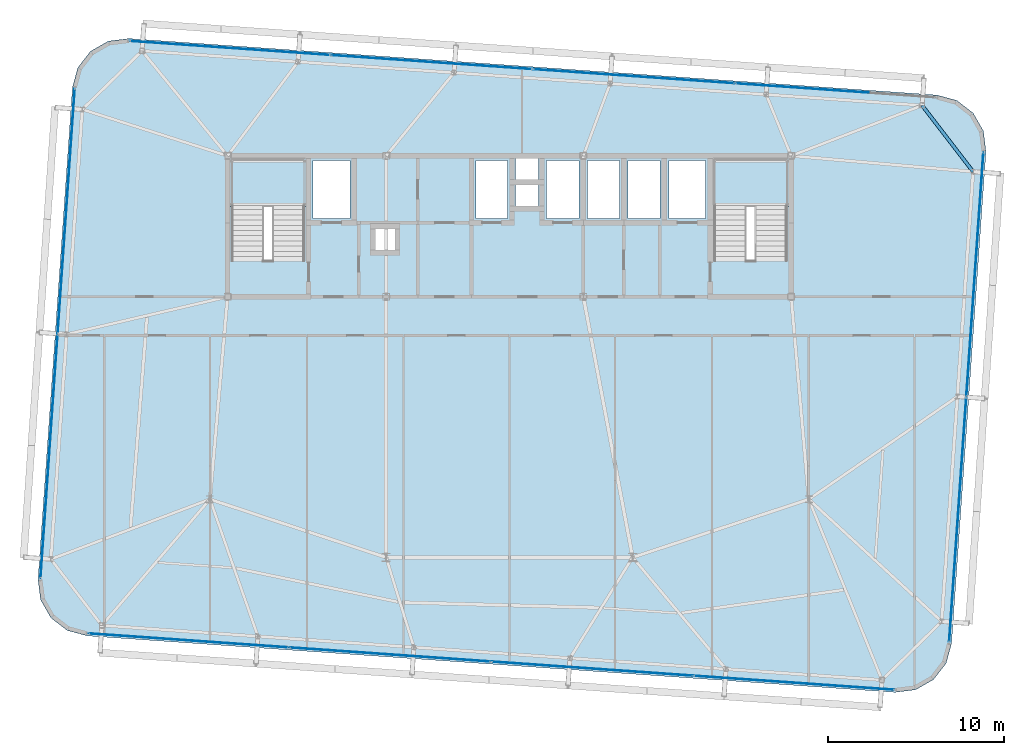
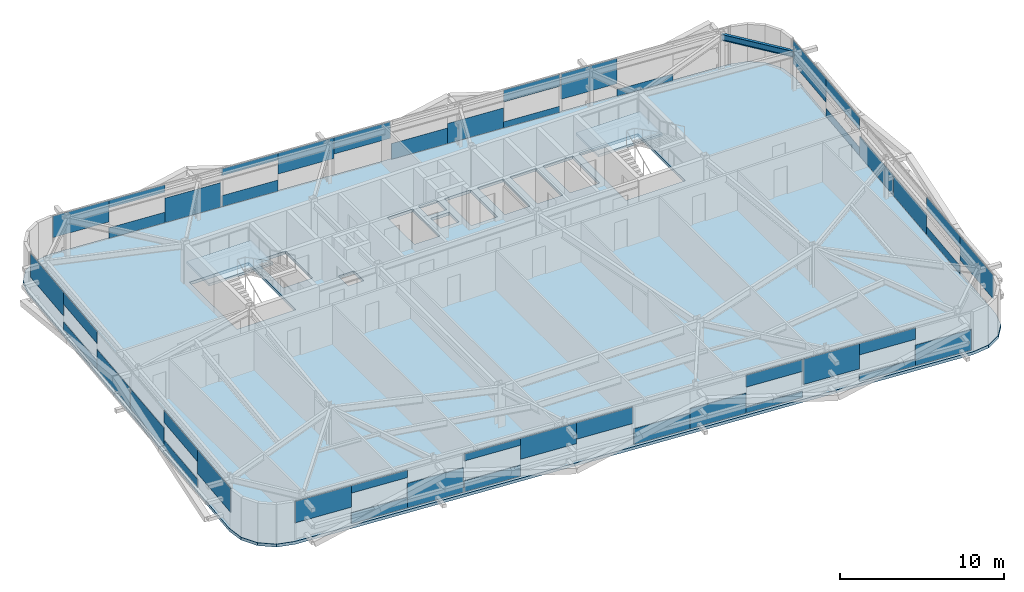
# One storey, part 25 of 39: 46 plates, 3 slabs, 1 beam, 6 elements without a shape of their own.
"""IFC4 building model written with IfcOpenShell, lengths in metres."""

from ifc_helpers import new_model, si_unit, direction, frame, origin, origin_2d, place, context, subcontext, project, spatial, polyline, rectangle, i_section, outline, extrude, source, transform, mapped, material, layer, layer_set, material_profile, profile_set, type_object, element, aggregate, save


model = new_model("IFC4")

# Units and contexts
model_context = context("Model", 3, precision=1e-05, world=origin(), true_north=direction((0.0, 1.0)))
body_context = subcontext(model_context, "Body", "Model", "MODEL_VIEW")
ifc_project = project(units=[si_unit("LENGTHUNIT", "METRE"), si_unit("AREAUNIT", "SQUARE_METRE"), si_unit("VOLUMEUNIT", "CUBIC_METRE"), si_unit("PLANEANGLEUNIT", "RADIAN"), si_unit("MASSUNIT", "GRAM", prefix="KILO")], contexts=[model_context])

# Site, building, storey
site_placement = place(None, origin())
site = spatial("IfcSite", under=ifc_project, at=site_placement, CompositionType="ELEMENT")
building_placement = place(site_placement, origin())
building = spatial("IfcBuilding", under=site, at=building_placement, Name="Taldren Reach Tower", CompositionType="ELEMENT")
storey_placement = place(building_placement, frame((0.0, 0.0, 120.39990234375)))
storey = spatial("IfcBuildingStorey", under=building, at=storey_placement, Name="L36", CompositionType="ELEMENT", Elevation=120.39990234375)

# Beam
ifc_material_1 = material(Name="Steel Gr 350 (350PLUS)", Category="steel")
ifc_material_profile = material_profile(ifc_material_1, i_section(OverallWidth=0.18994140625, OverallDepth=0.4541015625, WebThickness=0.008544921875, FlangeThickness=0.0126953125, at=origin_2d()), Name="460UB67.1")
ifc_profile_set = profile_set([ifc_material_profile], Name="Steel Gr 350 (350PLUS)")
beam_type = type_object("IfcBeamType", Name="SP-UB460B", PredefinedType="SPANDREL", material=ifc_profile_set)
shared_shape_1 = source(origin(), body_context, "Body", "SweptSolid", [
    extrude(i_section(OverallWidth=0.18994140625, OverallDepth=0.4541015625, WebThickness=0.008544921875, FlangeThickness=0.0126953125, at=origin_2d()), origin(), (0.0, 0.0, 1.0), 4.745849609375),
])
beam_placement = place(storey_placement, frame((61.3310546875, 31.1005859375, 2.703125), z_axis=(-0.609904656723, 0.792474800677, 0.0), x_axis=(-0.792474800677, -0.609904656723, 0.0)))
element("IfcBeam", 1, at=beam_placement, inside=storey, type_object=beam_type, Name="Perimeter spandrel B3 E3-N6 L36", PredefinedType="SPANDREL", context=body_context, shape_type="MappedRepresentation", body=[
    mapped(shared_shape_1, transform((0.0, 0.0, 0.0), scale=1.0)),
])

# Slab
ifc_material_2 = material(Name="Concrete N40 (40 MPa)", Category="concrete")
ifc_layer_1 = layer(ifc_material_2, 0.219970703125)
ifc_layer_set_1 = layer_set([ifc_layer_1], Name="Concrete N40 (40 MPa)")
slab_type_1 = type_object("IfcSlabType", Name="SL-FLR-220", PredefinedType="FLOOR", material=ifc_layer_set_1)
slab_1_placement = place(storey_placement, frame((0.0, 0.0, -0.219970703125)))
element("IfcSlab", 2, at=slab_1_placement, inside=storey, type_object=slab_type_1, Name="Suspended floor slab L36", PredefinedType="FLOOR", context=body_context, shape_type="SweptSolid", body=[
    extrude(outline(polyline([(56.908203125, 1.537109375), (58.0693359375, 1.684814453125), (59.08544921875, 2.265625), (59.80224609375, 3.191162109375), (60.110107421875, 4.320556640625), (62.063232421875, 32.252197265625), (61.91552734375, 33.413330078125), (61.334716796875, 34.4296875), (60.4091796875, 35.146240234375), (59.27978515625, 35.4541015625), (13.391845703125, 38.6630859375), (12.230712890625, 38.515380859375), (11.21435546875, 37.934326171875), (10.497802734375, 37.0087890625), (10.18994140625, 35.879638671875), (8.23681640625, 7.94775390625), (8.384521484375, 6.78662109375), (8.96533203125, 5.770263671875), (9.890869140625, 5.0537109375), (11.020263671875, 4.745849609375), (56.908203125, 1.537109375)]), holes=[polyline([(19.219970703125, 26.050048828125), (23.3798828125, 26.050048828125), (23.3798828125, 31.820068359375), (19.219970703125, 31.820068359375), (19.219970703125, 26.050048828125)]), polyline([(46.6201171875, 26.050048828125), (50.780029296875, 26.050048828125), (50.780029296875, 31.820068359375), (46.6201171875, 31.820068359375), (46.6201171875, 26.050048828125)]), polyline([(23.85009765625, 28.449951171875), (25.949951171875, 28.449951171875), (25.949951171875, 31.75), (23.85009765625, 31.75), (23.85009765625, 28.449951171875)]), polyline([(44.050048828125, 28.449951171875), (46.14990234375, 28.449951171875), (46.14990234375, 31.75), (44.050048828125, 31.75), (44.050048828125, 28.449951171875)]), polyline([(33.10009765625, 28.449951171875), (34.89990234375, 28.449951171875), (34.89990234375, 31.75), (33.10009765625, 31.75), (33.10009765625, 28.449951171875)]), polyline([(37.10009765625, 28.449951171875), (38.949951171875, 28.449951171875), (38.949951171875, 31.75), (37.10009765625, 31.75), (37.10009765625, 28.449951171875)]), polyline([(39.449951171875, 28.449951171875), (41.25, 28.449951171875), (41.25, 31.75), (39.449951171875, 31.75), (39.449951171875, 28.449951171875)]), polyline([(41.75, 28.449951171875), (43.550048828125, 28.449951171875), (43.550048828125, 31.75), (41.75, 31.75), (41.75, 28.449951171875)]), polyline([(35.35009765625, 30.64990234375), (36.64990234375, 30.64990234375), (36.64990234375, 31.85009765625), (35.35009765625, 31.85009765625), (35.35009765625, 30.64990234375)]), polyline([(35.35009765625, 29.14990234375), (36.64990234375, 29.14990234375), (36.64990234375, 30.35009765625), (35.35009765625, 30.35009765625), (35.35009765625, 29.14990234375)]), polyline([(27.39990234375, 26.64990234375), (28.5, 26.64990234375), (28.5, 27.85009765625), (27.39990234375, 27.85009765625), (27.39990234375, 26.64990234375)])]), origin(), (0.0, 0.0, 1.0), 0.219970703125),
])

# Stair, slab
ifc_material_3 = material(Name="Concrete S50 (50 MPa)", Category="concrete")
stair_type = type_object("IfcStairType", Name="ST-HT-315", PredefinedType="HALF_TURN_STAIR", material=ifc_material_3)
stair_1_placement = place(storey_placement, origin())
stair_1 = element("IfcStair", 3, at=stair_1_placement, inside=storey, type_object=stair_type, Name="Fire-isolated exit stair ST1 L36", PredefinedType="HALF_TURN_STAIR")
ifc_layer_2 = layer(ifc_material_3, 0.179931640625)
ifc_layer_set_2 = layer_set([ifc_layer_2], Name="Concrete S50 (50 MPa)")
slab_type_2 = type_object("IfcSlabType", Name="SL-LAND-180", PredefinedType="LANDING", material=ifc_layer_set_2)
slab_2_placement = place(storey_placement, frame((0.0, 0.0, 1.39501953125)))
slab_2 = element("IfcSlab", 4, at=slab_2_placement, type_object=slab_type_2, Name="ST1 landing 1", PredefinedType="LANDING", context=body_context, shape_type="SweptSolid", body=[
    extrude(outline(polyline([(19.0400390625, 29.135009765625), (23.56005859375, 29.135009765625), (23.56005859375, 31.8701171875), (19.0400390625, 31.8701171875), (19.0400390625, 29.135009765625)])), origin(), (0.0, 0.0, 1.0), 0.18017578125),
])
aggregate(stair_1, [slab_2])

stair_2_placement = place(storey_placement, origin())
stair_2 = element("IfcStair", 5, at=stair_2_placement, inside=storey, type_object=stair_type, Name="Fire-isolated exit stair ST2 L36", PredefinedType="HALF_TURN_STAIR")
slab_3_placement = place(storey_placement, frame((0.0, 0.0, 1.39501953125)))
slab_3 = element("IfcSlab", 6, at=slab_3_placement, type_object=slab_type_2, Name="ST2 landing 1", PredefinedType="LANDING", context=body_context, shape_type="SweptSolid", body=[
    extrude(outline(polyline([(46.43994140625, 29.135009765625), (50.9599609375, 29.135009765625), (50.9599609375, 31.8701171875), (46.43994140625, 31.8701171875), (46.43994140625, 29.135009765625)])), origin(), (0.0, 0.0, 1.0), 0.18017578125),
])
aggregate(stair_2, [slab_3])

# Curtain wall, plate
ifc_material_4 = material(Name="Aluminium and Low-E Glass Unitised System", Category="aluminium")
ifc_layer_3 = layer(ifc_material_4, 0.159912109375)
ifc_layer_set_3 = layer_set([ifc_layer_3], Name="Aluminium and Low-E Glass Unitised System")
curtain_wall_type = type_object("IfcCurtainWallType", Name="CW-SYS-4", PredefinedType="NOTDEFINED", material=ifc_layer_set_3)
curtain_wall_1_placement = place(storey_placement, origin())
curtain_wall_1 = element("IfcCurtainWall", 7, at=curtain_wall_1_placement, inside=storey, type_object=curtain_wall_type, Name="Unitised curtain wall CW-L36-S", PredefinedType="NOTDEFINED")
ifc_material_5 = material(Name="Solar-Control Double Glazed IGU", Category="glass")
ifc_layer_4 = layer(ifc_material_5, 0.031982421875)
ifc_layer_set_4 = layer_set([ifc_layer_4], Name="Solar-Control Double Glazed IGU")
plate_type = type_object("IfcPlateType", Name="CW-PNL-IGU32", PredefinedType="CURTAIN_PANEL", material=ifc_layer_set_4)
shared_shape_2 = source(origin(), body_context, "Body", "SweptSolid", [
    extrude(rectangle(XDim=3.79833984375, YDim=0.031982421875, at=origin_2d()), origin(), (0.0, 0.0, 1.0), 1.597900390625),
])
plate_1_placement = place(storey_placement, frame((12.994384765625, 4.748046875, 1.27734375), z_axis=(0.0, 0.0, 1.0), x_axis=(0.99756404731, -0.06975651593, 0.0)))
plate_1 = element("IfcPlate", 8, at=plate_1_placement, type_object=plate_type, Name="CW-4 panel 1.1 part 1", PredefinedType="CURTAIN_PANEL", context=body_context, shape_type="MappedRepresentation", body=[
    mapped(shared_shape_2, transform((0.0, 0.0, 0.0), scale=1.0)),
])

curtain_wall_2_placement = place(storey_placement, origin())
curtain_wall_2 = element("IfcCurtainWall", 9, at=curtain_wall_2_placement, inside=storey, type_object=curtain_wall_type, Name="Unitised curtain wall CW-L36-N", PredefinedType="NOTDEFINED")
plate_2_placement = place(storey_placement, frame((15.346435546875, 38.385986328125, 1.27734375), z_axis=(0.0, 0.0, 1.0), x_axis=(-0.99756404731, 0.06975651593, 0.0)))
plate_2 = element("IfcPlate", 10, at=plate_2_placement, type_object=plate_type, Name="CW-4 panel 4.1 part 4", PredefinedType="CURTAIN_PANEL", context=body_context, shape_type="MappedRepresentation", body=[
    mapped(shared_shape_2, transform((0.0, 0.0, 0.0), scale=1.0)),
])

# Plate
shared_shape_3 = source(origin(), body_context, "Body", "SweptSolid", [
    extrude(rectangle(XDim=3.79833984375, YDim=0.031982421875, at=origin_2d()), origin(), (0.0, 0.0, 1.0), 0.787109375),
])
plate_3_placement = place(storey_placement, frame((16.783447265625, 4.483154296875, 0.05517578125), z_axis=(0.0, 0.0, 1.0), x_axis=(0.99756404731, -0.06975651593, 0.0)))
plate_3 = element("IfcPlate", 11, at=plate_3_placement, type_object=plate_type, Name="CW-4 panel 1.1 part 2", PredefinedType="CURTAIN_PANEL", context=body_context, shape_type="MappedRepresentation", body=[
    mapped(shared_shape_3, transform((0.0, 0.0, 0.0), scale=1.0)),
])

plate_4_placement = place(storey_placement, frame((19.135498046875, 38.12109375, 0.05517578125), z_axis=(0.0, 0.0, 1.0), x_axis=(-0.99756404731, 0.06975651593, 0.0)))
plate_4 = element("IfcPlate", 12, at=plate_4_placement, type_object=plate_type, Name="CW-4 panel 4.1 part 2", PredefinedType="CURTAIN_PANEL", context=body_context, shape_type="MappedRepresentation", body=[
    mapped(shared_shape_3, transform((0.0, 0.0, 0.0), scale=1.0)),
])

shared_shape_4 = source(origin(), body_context, "Body", "SweptSolid", [
    extrude(rectangle(XDim=3.79833984375, YDim=0.031982421875, at=origin_2d()), origin(), (0.0, 0.0, 1.0), 0.558349609375),
])
plate_5_placement = place(storey_placement, frame((16.783447265625, 4.483154296875, 2.31689453125), z_axis=(0.0, 0.0, 1.0), x_axis=(0.99756404731, -0.06975651593, 0.0)))
plate_5 = element("IfcPlate", 13, at=plate_5_placement, type_object=plate_type, Name="CW-4 panel 1.1 part 3", PredefinedType="CURTAIN_PANEL", context=body_context, shape_type="MappedRepresentation", body=[
    mapped(shared_shape_4, transform((0.0, 0.0, 0.0), scale=1.0)),
])

plate_6_placement = place(storey_placement, frame((19.135498046875, 38.12109375, 2.31689453125), z_axis=(0.0, 0.0, 1.0), x_axis=(-0.99756404731, 0.06975651593, 0.0)))
plate_6 = element("IfcPlate", 14, at=plate_6_placement, type_object=plate_type, Name="CW-4 panel 4.1 part 3", PredefinedType="CURTAIN_PANEL", context=body_context, shape_type="MappedRepresentation", body=[
    mapped(shared_shape_4, transform((0.0, 0.0, 0.0), scale=1.0)),
])

shared_shape_5 = source(origin(), body_context, "Body", "SweptSolid", [
    extrude(rectangle(XDim=3.79833984375, YDim=0.031982421875, at=origin_2d()), origin(), (0.0, 0.0, 1.0), 1.826416015625),
])
plate_7_placement = place(storey_placement, frame((20.572509765625, 4.21826171875, 0.05517578125), z_axis=(0.0, 0.0, 1.0), x_axis=(0.99756404731, -0.06975651593, 0.0)))
plate_7 = element("IfcPlate", 15, at=plate_7_placement, type_object=plate_type, Name="CW-4 panel 1.1 part 4", PredefinedType="CURTAIN_PANEL", context=body_context, shape_type="MappedRepresentation", body=[
    mapped(shared_shape_5, transform((0.0, 0.0, 0.0), scale=1.0)),
])

plate_8_placement = place(storey_placement, frame((22.924560546875, 37.85595703125, 0.05517578125), z_axis=(0.0, 0.0, 1.0), x_axis=(-0.99756404731, 0.06975651593, 0.0)))
plate_8 = element("IfcPlate", 16, at=plate_8_placement, type_object=plate_type, Name="CW-4 panel 4.1 part 1", PredefinedType="CURTAIN_PANEL", context=body_context, shape_type="MappedRepresentation", body=[
    mapped(shared_shape_5, transform((0.0, 0.0, 0.0), scale=1.0)),
])

shared_shape_6 = source(origin(), body_context, "Body", "SweptSolid", [
    extrude(rectangle(XDim=3.81005859375, YDim=0.031982421875, at=origin_2d()), origin(), (0.0, 0.0, 1.0), 0.8271484375),
])
plate_9_placement = place(storey_placement, frame((24.437255859375, 3.947998046875, 0.05517578125), z_axis=(0.0, 0.0, 1.0), x_axis=(0.99756404731, -0.06975651593, 0.0)))
plate_9 = element("IfcPlate", 17, at=plate_9_placement, type_object=plate_type, Name="CW-4 panel 2.1 part 1", PredefinedType="CURTAIN_PANEL", context=body_context, shape_type="MappedRepresentation", body=[
    mapped(shared_shape_6, transform((0.0, 0.0, 0.0), scale=1.0)),
])

plate_10_placement = place(storey_placement, frame((26.789306640625, 37.585693359375, 0.05517578125), z_axis=(0.0, 0.0, 1.0), x_axis=(-0.99756404731, 0.06975651593, 0.0)))
plate_10 = element("IfcPlate", 18, at=plate_10_placement, type_object=plate_type, Name="CW-4 panel 3.1 part 3", PredefinedType="CURTAIN_PANEL", context=body_context, shape_type="MappedRepresentation", body=[
    mapped(shared_shape_6, transform((0.0, 0.0, 0.0), scale=1.0)),
])

shared_shape_7 = source(origin(), body_context, "Body", "SweptSolid", [
    extrude(rectangle(XDim=3.81005859375, YDim=0.031982421875, at=origin_2d()), origin(), (0.0, 0.0, 1.0), 0.51513671875),
])
plate_11_placement = place(storey_placement, frame((24.437255859375, 3.947998046875, 2.360107421875), z_axis=(0.0, 0.0, 1.0), x_axis=(0.99756404731, -0.06975651593, 0.0)))
plate_11 = element("IfcPlate", 19, at=plate_11_placement, type_object=plate_type, Name="CW-4 panel 2.1 part 2", PredefinedType="CURTAIN_PANEL", context=body_context, shape_type="MappedRepresentation", body=[
    mapped(shared_shape_7, transform((0.0, 0.0, 0.0), scale=1.0)),
])

plate_12_placement = place(storey_placement, frame((26.789306640625, 37.585693359375, 2.360107421875), z_axis=(0.0, 0.0, 1.0), x_axis=(-0.99756404731, 0.06975651593, 0.0)))
plate_12 = element("IfcPlate", 20, at=plate_12_placement, type_object=plate_type, Name="CW-4 panel 3.1 part 4", PredefinedType="CURTAIN_PANEL", context=body_context, shape_type="MappedRepresentation", body=[
    mapped(shared_shape_7, transform((0.0, 0.0, 0.0), scale=1.0)),
])

shared_shape_8 = source(origin(), body_context, "Body", "SweptSolid", [
    extrude(rectangle(XDim=3.81005859375, YDim=0.031982421875, at=origin_2d()), origin(), (0.0, 0.0, 1.0), 1.5576171875),
])
plate_13_placement = place(storey_placement, frame((28.23779296875, 3.68212890625, 1.3173828125), z_axis=(0.0, 0.0, 1.0), x_axis=(0.99756404731, -0.06975651593, 0.0)))
plate_13 = element("IfcPlate", 21, at=plate_13_placement, type_object=plate_type, Name="CW-4 panel 2.1 part 3", PredefinedType="CURTAIN_PANEL", context=body_context, shape_type="MappedRepresentation", body=[
    mapped(shared_shape_8, transform((0.0, 0.0, 0.0), scale=1.0)),
])

plate_14_placement = place(storey_placement, frame((30.590087890625, 37.320068359375, 1.3173828125), z_axis=(0.0, 0.0, 1.0), x_axis=(-0.99756404731, 0.06975651593, 0.0)))
plate_14 = element("IfcPlate", 22, at=plate_14_placement, type_object=plate_type, Name="CW-4 panel 3.1 part 2", PredefinedType="CURTAIN_PANEL", context=body_context, shape_type="MappedRepresentation", body=[
    mapped(shared_shape_8, transform((0.0, 0.0, 0.0), scale=1.0)),
])

shared_shape_9 = source(origin(), body_context, "Body", "SweptSolid", [
    extrude(rectangle(XDim=3.81005859375, YDim=0.031982421875, at=origin_2d()), origin(), (0.0, 0.0, 1.0), 1.23193359375),
])
plate_15_placement = place(storey_placement, frame((32.03857421875, 3.41650390625, 1.64306640625), z_axis=(0.0, 0.0, 1.0), x_axis=(0.99756404731, -0.06975651593, 0.0)))
plate_15 = element("IfcPlate", 23, at=plate_15_placement, type_object=plate_type, Name="CW-4 panel 2.1 part 4", PredefinedType="CURTAIN_PANEL", context=body_context, shape_type="MappedRepresentation", body=[
    mapped(shared_shape_9, transform((0.0, 0.0, 0.0), scale=1.0)),
])

plate_16_placement = place(storey_placement, frame((34.390869140625, 37.05419921875, 1.64306640625), z_axis=(0.0, 0.0, 1.0), x_axis=(-0.99756404731, 0.06975651593, 0.0)))
plate_16 = element("IfcPlate", 24, at=plate_16_placement, type_object=plate_type, Name="CW-4 panel 3.1 part 1", PredefinedType="CURTAIN_PANEL", context=body_context, shape_type="MappedRepresentation", body=[
    mapped(shared_shape_9, transform((0.0, 0.0, 0.0), scale=1.0)),
])

shared_shape_10 = source(origin(), body_context, "Body", "SweptSolid", [
    extrude(rectangle(XDim=3.81005859375, YDim=0.031982421875, at=origin_2d()), origin(), (0.0, 0.0, 1.0), 1.172119140625),
])
plate_17_placement = place(storey_placement, frame((35.9091796875, 3.145751953125, 0.05517578125), z_axis=(0.0, 0.0, 1.0), x_axis=(0.99756404731, -0.06975651593, 0.0)))
plate_17 = element("IfcPlate", 25, at=plate_17_placement, type_object=plate_type, Name="CW-4 panel 3.1 part 1", PredefinedType="CURTAIN_PANEL", context=body_context, shape_type="MappedRepresentation", body=[
    mapped(shared_shape_10, transform((0.0, 0.0, 0.0), scale=1.0)),
])

plate_18_placement = place(storey_placement, frame((38.261474609375, 36.78369140625, 0.05517578125), z_axis=(0.0, 0.0, 1.0), x_axis=(-0.99756404731, 0.06975651593, 0.0)))
plate_18 = element("IfcPlate", 26, at=plate_18_placement, type_object=plate_type, Name="CW-4 panel 2.1 part 4", PredefinedType="CURTAIN_PANEL", context=body_context, shape_type="MappedRepresentation", body=[
    mapped(shared_shape_10, transform((0.0, 0.0, 0.0), scale=1.0)),
])

shared_shape_11 = source(origin(), body_context, "Body", "SweptSolid", [
    extrude(rectangle(XDim=3.81005859375, YDim=0.031982421875, at=origin_2d()), origin(), (0.0, 0.0, 1.0), 1.497802734375),
])
plate_19_placement = place(storey_placement, frame((39.7099609375, 2.8798828125, 0.05517578125), z_axis=(0.0, 0.0, 1.0), x_axis=(0.99756404731, -0.06975651593, 0.0)))
plate_19 = element("IfcPlate", 27, at=plate_19_placement, type_object=plate_type, Name="CW-4 panel 3.1 part 2", PredefinedType="CURTAIN_PANEL", context=body_context, shape_type="MappedRepresentation", body=[
    mapped(shared_shape_11, transform((0.0, 0.0, 0.0), scale=1.0)),
])

plate_20_placement = place(storey_placement, frame((42.06201171875, 36.517822265625, 0.05517578125), z_axis=(0.0, 0.0, 1.0), x_axis=(-0.99756404731, 0.06975651593, 0.0)))
plate_20 = element("IfcPlate", 28, at=plate_20_placement, type_object=plate_type, Name="CW-4 panel 2.1 part 3", PredefinedType="CURTAIN_PANEL", context=body_context, shape_type="MappedRepresentation", body=[
    mapped(shared_shape_11, transform((0.0, 0.0, 0.0), scale=1.0)),
])

shared_shape_12 = source(origin(), body_context, "Body", "SweptSolid", [
    extrude(rectangle(XDim=3.81005859375, YDim=0.031982421875, at=origin_2d()), origin(), (0.0, 0.0, 1.0), 0.455078125),
])
plate_21_placement = place(storey_placement, frame((43.510498046875, 2.6142578125, 0.05517578125), z_axis=(0.0, 0.0, 1.0), x_axis=(0.99756404731, -0.06975651593, 0.0)))
plate_21 = element("IfcPlate", 29, at=plate_21_placement, type_object=plate_type, Name="CW-4 panel 3.1 part 3", PredefinedType="CURTAIN_PANEL", context=body_context, shape_type="MappedRepresentation", body=[
    mapped(shared_shape_12, transform((0.0, 0.0, 0.0), scale=1.0)),
])

plate_22_placement = place(storey_placement, frame((45.86279296875, 36.251953125, 0.05517578125), z_axis=(0.0, 0.0, 1.0), x_axis=(-0.99756404731, 0.06975651593, 0.0)))
plate_22 = element("IfcPlate", 30, at=plate_22_placement, type_object=plate_type, Name="CW-4 panel 2.1 part 1", PredefinedType="CURTAIN_PANEL", context=body_context, shape_type="MappedRepresentation", body=[
    mapped(shared_shape_12, transform((0.0, 0.0, 0.0), scale=1.0)),
])

shared_shape_13 = source(origin(), body_context, "Body", "SweptSolid", [
    extrude(rectangle(XDim=3.81005859375, YDim=0.031982421875, at=origin_2d()), origin(), (0.0, 0.0, 1.0), 0.88720703125),
])
plate_23_placement = place(storey_placement, frame((43.510498046875, 2.6142578125, 1.98779296875), z_axis=(0.0, 0.0, 1.0), x_axis=(0.99756404731, -0.06975651593, 0.0)))
plate_23 = element("IfcPlate", 31, at=plate_23_placement, type_object=plate_type, Name="CW-4 panel 3.1 part 4", PredefinedType="CURTAIN_PANEL", context=body_context, shape_type="MappedRepresentation", body=[
    mapped(shared_shape_13, transform((0.0, 0.0, 0.0), scale=1.0)),
])

plate_24_placement = place(storey_placement, frame((45.86279296875, 36.251953125, 1.98779296875), z_axis=(0.0, 0.0, 1.0), x_axis=(-0.99756404731, 0.06975651593, 0.0)))
plate_24 = element("IfcPlate", 32, at=plate_24_placement, type_object=plate_type, Name="CW-4 panel 2.1 part 2", PredefinedType="CURTAIN_PANEL", context=body_context, shape_type="MappedRepresentation", body=[
    mapped(shared_shape_13, transform((0.0, 0.0, 0.0), scale=1.0)),
])

shared_shape_14 = source(origin(), body_context, "Body", "SweptSolid", [
    extrude(rectangle(XDim=3.79833984375, YDim=0.031982421875, at=origin_2d()), origin(), (0.0, 0.0, 1.0), 1.886474609375),
])
plate_25_placement = place(storey_placement, frame((47.375244140625, 2.343994140625, 0.98876953125), z_axis=(0.0, 0.0, 1.0), x_axis=(0.99756404731, -0.06975651593, 0.0)))
plate_25 = element("IfcPlate", 33, at=plate_25_placement, type_object=plate_type, Name="CW-4 panel 4.1 part 1", PredefinedType="CURTAIN_PANEL", context=body_context, shape_type="MappedRepresentation", body=[
    mapped(shared_shape_14, transform((0.0, 0.0, 0.0), scale=1.0)),
])

plate_26_placement = place(storey_placement, frame((49.7275390625, 35.981689453125, 0.98876953125), z_axis=(0.0, 0.0, 1.0), x_axis=(-0.99756404731, 0.06975651593, 0.0)))
plate_26 = element("IfcPlate", 34, at=plate_26_placement, type_object=plate_type, Name="CW-4 panel 1.1 part 4", PredefinedType="CURTAIN_PANEL", context=body_context, shape_type="MappedRepresentation", body=[
    mapped(shared_shape_14, transform((0.0, 0.0, 0.0), scale=1.0)),
])

shared_shape_15 = source(origin(), body_context, "Body", "SweptSolid", [
    extrude(rectangle(XDim=3.79833984375, YDim=0.031982421875, at=origin_2d()), origin(), (0.0, 0.0, 1.0), 0.498291015625),
])
plate_27_placement = place(storey_placement, frame((51.16455078125, 2.0791015625, 0.05517578125), z_axis=(0.0, 0.0, 1.0), x_axis=(0.99756404731, -0.06975651593, 0.0)))
plate_27 = element("IfcPlate", 35, at=plate_27_placement, type_object=plate_type, Name="CW-4 panel 4.1 part 2", PredefinedType="CURTAIN_PANEL", context=body_context, shape_type="MappedRepresentation", body=[
    mapped(shared_shape_15, transform((0.0, 0.0, 0.0), scale=1.0)),
])

plate_28_placement = place(storey_placement, frame((53.5166015625, 35.716796875, 0.05517578125), z_axis=(0.0, 0.0, 1.0), x_axis=(-0.99756404731, 0.06975651593, 0.0)))
plate_28 = element("IfcPlate", 36, at=plate_28_placement, type_object=plate_type, Name="CW-4 panel 1.1 part 2", PredefinedType="CURTAIN_PANEL", context=body_context, shape_type="MappedRepresentation", body=[
    mapped(shared_shape_15, transform((0.0, 0.0, 0.0), scale=1.0)),
])

aggregate(curtain_wall_2, [plate_28, plate_26, plate_22, plate_24, plate_20, plate_18, plate_16, plate_14, plate_10, plate_12, plate_8, plate_4, plate_6, plate_2])

shared_shape_16 = source(origin(), body_context, "Body", "SweptSolid", [
    extrude(rectangle(XDim=3.79833984375, YDim=0.031982421875, at=origin_2d()), origin(), (0.0, 0.0, 1.0), 0.84716796875),
])
plate_29_placement = place(storey_placement, frame((51.16455078125, 2.0791015625, 2.028076171875), z_axis=(0.0, 0.0, 1.0), x_axis=(0.99756404731, -0.06975651593, 0.0)))
plate_29 = element("IfcPlate", 37, at=plate_29_placement, type_object=plate_type, Name="CW-4 panel 4.1 part 3", PredefinedType="CURTAIN_PANEL", context=body_context, shape_type="MappedRepresentation", body=[
    mapped(shared_shape_16, transform((0.0, 0.0, 0.0), scale=1.0)),
])

shared_shape_17 = source(origin(), body_context, "Body", "SweptSolid", [
    extrude(rectangle(XDim=3.79833984375, YDim=0.031982421875, at=origin_2d()), origin(), (0.0, 0.0, 1.0), 1.537841796875),
])
plate_30_placement = place(storey_placement, frame((54.95361328125, 1.81396484375, 0.05517578125), z_axis=(0.0, 0.0, 1.0), x_axis=(0.99756404731, -0.06975651593, 0.0)))
plate_30 = element("IfcPlate", 38, at=plate_30_placement, type_object=plate_type, Name="CW-4 panel 4.1 part 4", PredefinedType="CURTAIN_PANEL", context=body_context, shape_type="MappedRepresentation", body=[
    mapped(shared_shape_17, transform((0.0, 0.0, 0.0), scale=1.0)),
])

aggregate(curtain_wall_1, [plate_1, plate_3, plate_5, plate_7, plate_9, plate_11, plate_13, plate_15, plate_17, plate_19, plate_21, plate_23, plate_25, plate_27, plate_29, plate_30])

# Curtain wall, plates
curtain_wall_3_placement = place(storey_placement, origin())
curtain_wall_3 = element("IfcCurtainWall", 39, at=curtain_wall_3_placement, inside=storey, type_object=curtain_wall_type, Name="Unitised curtain wall CW-L36-W", PredefinedType="NOTDEFINED")
shared_shape_18 = source(origin(), body_context, "Body", "SweptSolid", [
    extrude(rectangle(XDim=4.631591796875, YDim=0.031982421875, at=origin_2d()), origin(), (0.0, 0.0, 1.0), 1.776611328125),
])
plate_31_placement = place(storey_placement, frame((10.1630859375, 33.48974609375, 1.0986328125), z_axis=(0.0, 0.0, 1.0), x_axis=(-0.069756437251, -0.997564052812, 0.0)))
plate_31 = element("IfcPlate", 40, at=plate_31_placement, type_object=plate_type, Name="CW-4 panel 1.1 part 1", PredefinedType="CURTAIN_PANEL", context=body_context, shape_type="MappedRepresentation", body=[
    mapped(shared_shape_18, transform((0.0, 0.0, 0.0), scale=1.0)),
])
plate_32_placement = place(storey_placement, frame((8.542724609375, 10.318115234375, 1.0986328125), z_axis=(0.0, 0.0, 1.0), x_axis=(-0.069756437251, -0.997564052812, 0.0)))
plate_32 = element("IfcPlate", 41, at=plate_32_placement, type_object=plate_type, Name="CW-4 panel 2.1 part 4", PredefinedType="CURTAIN_PANEL", context=body_context, shape_type="MappedRepresentation", body=[
    mapped(shared_shape_18, transform((0.0, 0.0, 0.0), scale=1.0)),
])

curtain_wall_4_placement = place(storey_placement, origin())
curtain_wall_4 = element("IfcCurtainWall", 42, at=curtain_wall_4_placement, inside=storey, type_object=curtain_wall_type, Name="Unitised curtain wall CW-L36-E", PredefinedType="NOTDEFINED")
plate_33_placement = place(storey_placement, frame((60.136962890625, 6.710205078125, 1.0986328125), z_axis=(0.0, 0.0, 1.0), x_axis=(0.069756437251, 0.997564052812, 0.0)))
plate_33 = element("IfcPlate", 43, at=plate_33_placement, type_object=plate_type, Name="CW-4 panel 1.1 part 1", PredefinedType="CURTAIN_PANEL", context=body_context, shape_type="MappedRepresentation", body=[
    mapped(shared_shape_18, transform((0.0, 0.0, 0.0), scale=1.0)),
])
plate_34_placement = place(storey_placement, frame((61.757080078125, 29.882080078125, 1.0986328125), z_axis=(0.0, 0.0, 1.0), x_axis=(0.069756437251, 0.997564052812, 0.0)))
plate_34 = element("IfcPlate", 44, at=plate_34_placement, type_object=plate_type, Name="CW-4 panel 2.1 part 4", PredefinedType="CURTAIN_PANEL", context=body_context, shape_type="MappedRepresentation", body=[
    mapped(shared_shape_18, transform((0.0, 0.0, 0.0), scale=1.0)),
])

# Plate
shared_shape_19 = source(origin(), body_context, "Body", "SweptSolid", [
    extrude(rectangle(XDim=4.631591796875, YDim=0.031982421875, at=origin_2d()), origin(), (0.0, 0.0, 1.0), 0.6162109375),
])
plate_35_placement = place(storey_placement, frame((9.840087890625, 28.869384765625, 0.054931640625), z_axis=(0.0, 0.0, 1.0), x_axis=(-0.069756437251, -0.997564052812, 0.0)))
plate_35 = element("IfcPlate", 45, at=plate_35_placement, type_object=plate_type, Name="CW-4 panel 1.1 part 2", PredefinedType="CURTAIN_PANEL", context=body_context, shape_type="MappedRepresentation", body=[
    mapped(shared_shape_19, transform((0.0, 0.0, 0.0), scale=1.0)),
])

plate_36_placement = place(storey_placement, frame((8.865966796875, 14.9384765625, 0.054931640625), z_axis=(0.0, 0.0, 1.0), x_axis=(-0.069756437251, -0.997564052812, 0.0)))
plate_36 = element("IfcPlate", 46, at=plate_36_placement, type_object=plate_type, Name="CW-4 panel 2.1 part 2", PredefinedType="CURTAIN_PANEL", context=body_context, shape_type="MappedRepresentation", body=[
    mapped(shared_shape_19, transform((0.0, 0.0, 0.0), scale=1.0)),
])

plate_37_placement = place(storey_placement, frame((60.4599609375, 11.33056640625, 0.054931640625), z_axis=(0.0, 0.0, 1.0), x_axis=(0.069756437251, 0.997564052812, 0.0)))
plate_37 = element("IfcPlate", 47, at=plate_37_placement, type_object=plate_type, Name="CW-4 panel 1.1 part 2", PredefinedType="CURTAIN_PANEL", context=body_context, shape_type="MappedRepresentation", body=[
    mapped(shared_shape_19, transform((0.0, 0.0, 0.0), scale=1.0)),
])

plate_38_placement = place(storey_placement, frame((61.43408203125, 25.261474609375, 0.054931640625), z_axis=(0.0, 0.0, 1.0), x_axis=(0.069756437251, 0.997564052812, 0.0)))
plate_38 = element("IfcPlate", 48, at=plate_38_placement, type_object=plate_type, Name="CW-4 panel 2.1 part 2", PredefinedType="CURTAIN_PANEL", context=body_context, shape_type="MappedRepresentation", body=[
    mapped(shared_shape_19, transform((0.0, 0.0, 0.0), scale=1.0)),
])

shared_shape_20 = source(origin(), body_context, "Body", "SweptSolid", [
    extrude(rectangle(XDim=4.631591796875, YDim=0.031982421875, at=origin_2d()), origin(), (0.0, 0.0, 1.0), 0.897216796875),
])
plate_39_placement = place(storey_placement, frame((9.840087890625, 28.869384765625, 1.97802734375), z_axis=(0.0, 0.0, 1.0), x_axis=(-0.069756437251, -0.997564052812, 0.0)))
plate_39 = element("IfcPlate", 49, at=plate_39_placement, type_object=plate_type, Name="CW-4 panel 1.1 part 3", PredefinedType="CURTAIN_PANEL", context=body_context, shape_type="MappedRepresentation", body=[
    mapped(shared_shape_20, transform((0.0, 0.0, 0.0), scale=1.0)),
])

plate_40_placement = place(storey_placement, frame((8.865966796875, 14.9384765625, 1.97802734375), z_axis=(0.0, 0.0, 1.0), x_axis=(-0.069756437251, -0.997564052812, 0.0)))
plate_40 = element("IfcPlate", 50, at=plate_40_placement, type_object=plate_type, Name="CW-4 panel 2.1 part 3", PredefinedType="CURTAIN_PANEL", context=body_context, shape_type="MappedRepresentation", body=[
    mapped(shared_shape_20, transform((0.0, 0.0, 0.0), scale=1.0)),
])

plate_41_placement = place(storey_placement, frame((60.4599609375, 11.33056640625, 1.97802734375), z_axis=(0.0, 0.0, 1.0), x_axis=(0.069756437251, 0.997564052812, 0.0)))
plate_41 = element("IfcPlate", 51, at=plate_41_placement, type_object=plate_type, Name="CW-4 panel 1.1 part 3", PredefinedType="CURTAIN_PANEL", context=body_context, shape_type="MappedRepresentation", body=[
    mapped(shared_shape_20, transform((0.0, 0.0, 0.0), scale=1.0)),
])

plate_42_placement = place(storey_placement, frame((61.43408203125, 25.261474609375, 1.97802734375), z_axis=(0.0, 0.0, 1.0), x_axis=(0.069756437251, 0.997564052812, 0.0)))
plate_42 = element("IfcPlate", 52, at=plate_42_placement, type_object=plate_type, Name="CW-4 panel 2.1 part 3", PredefinedType="CURTAIN_PANEL", context=body_context, shape_type="MappedRepresentation", body=[
    mapped(shared_shape_20, transform((0.0, 0.0, 0.0), scale=1.0)),
])

shared_shape_21 = source(origin(), body_context, "Body", "SweptSolid", [
    extrude(rectangle(XDim=4.631591796875, YDim=0.031982421875, at=origin_2d()), origin(), (0.0, 0.0, 1.0), 1.495361328125),
])
plate_43_placement = place(storey_placement, frame((9.51708984375, 24.2490234375, 0.05517578125), z_axis=(0.0, 0.0, 1.0), x_axis=(-0.069756437251, -0.997564052812, 0.0)))
plate_43 = element("IfcPlate", 53, at=plate_43_placement, type_object=plate_type, Name="CW-4 panel 1.1 part 4", PredefinedType="CURTAIN_PANEL", context=body_context, shape_type="MappedRepresentation", body=[
    mapped(shared_shape_21, transform((0.0, 0.0, 0.0), scale=1.0)),
])

plate_44_placement = place(storey_placement, frame((9.18896484375, 19.558837890625, 0.05517578125), z_axis=(0.0, 0.0, 1.0), x_axis=(-0.069756437251, -0.997564052812, 0.0)))
plate_44 = element("IfcPlate", 54, at=plate_44_placement, type_object=plate_type, Name="CW-4 panel 2.1 part 1", PredefinedType="CURTAIN_PANEL", context=body_context, shape_type="MappedRepresentation", body=[
    mapped(shared_shape_21, transform((0.0, 0.0, 0.0), scale=1.0)),
])

aggregate(curtain_wall_3, [plate_31, plate_35, plate_39, plate_43, plate_44, plate_36, plate_40, plate_32])

plate_45_placement = place(storey_placement, frame((60.782958984375, 15.950927734375, 0.05517578125), z_axis=(0.0, 0.0, 1.0), x_axis=(0.069756437251, 0.997564052812, 0.0)))
plate_45 = element("IfcPlate", 55, at=plate_45_placement, type_object=plate_type, Name="CW-4 panel 1.1 part 4", PredefinedType="CURTAIN_PANEL", context=body_context, shape_type="MappedRepresentation", body=[
    mapped(shared_shape_21, transform((0.0, 0.0, 0.0), scale=1.0)),
])

plate_46_placement = place(storey_placement, frame((61.111083984375, 20.64111328125, 0.05517578125), z_axis=(0.0, 0.0, 1.0), x_axis=(0.069756437251, 0.997564052812, 0.0)))
plate_46 = element("IfcPlate", 56, at=plate_46_placement, type_object=plate_type, Name="CW-4 panel 2.1 part 1", PredefinedType="CURTAIN_PANEL", context=body_context, shape_type="MappedRepresentation", body=[
    mapped(shared_shape_21, transform((0.0, 0.0, 0.0), scale=1.0)),
])

aggregate(curtain_wall_4, [plate_33, plate_37, plate_41, plate_45, plate_46, plate_38, plate_42, plate_34])

save(model, "model.ifc")
